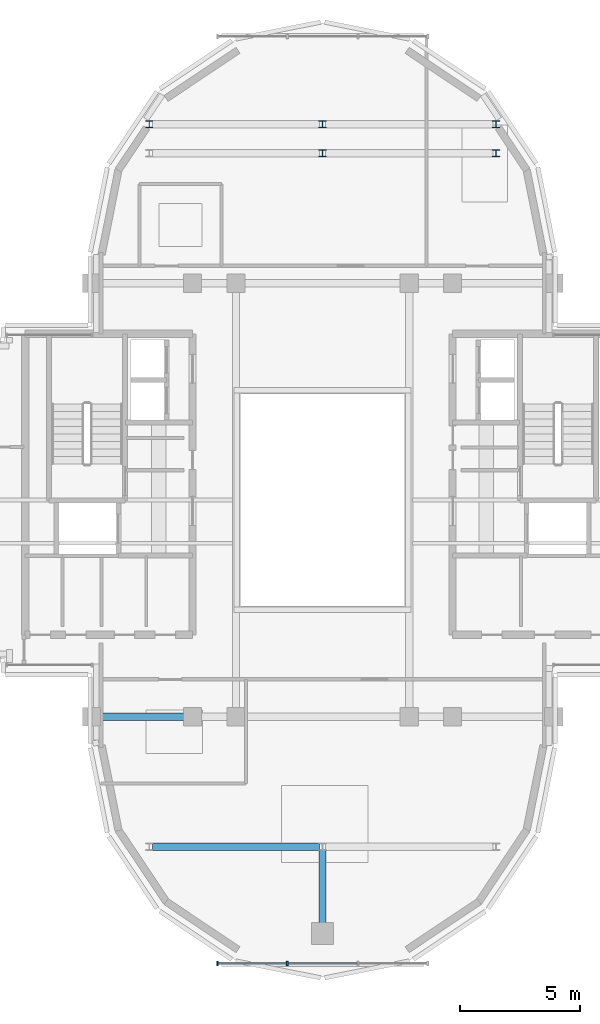
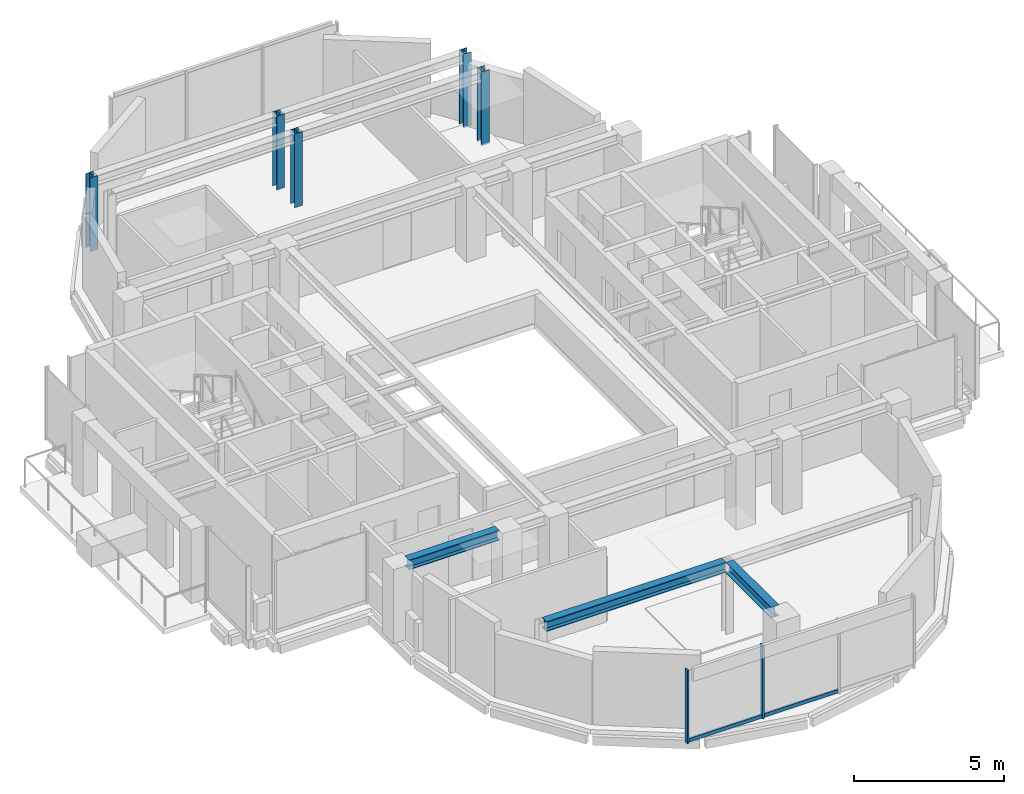
# One storey, part 2 of 12: 5 columns, 4 members, 3 beams, 1 element without a shape of its own.
"""IFC4 building model written with IfcOpenShell, lengths in metres."""

from ifc_helpers import new_model, si_unit, direction, frame, origin, origin_2d, place, context, subcontext, project, spatial, rectangle, i_section, extrude, source, transform, mapped, material, material_profile, profile_set, type_object, element, aggregate, save


model = new_model("IFC4")

# Units and contexts
model_context = context("Model", 3, precision=1e-05, world=origin(), true_north=direction((0.0, 1.0)))
body_context = subcontext(model_context, "Body", "Model", "MODEL_VIEW")
ifc_project = project(units=[si_unit("LENGTHUNIT", "METRE"), si_unit("AREAUNIT", "SQUARE_METRE"), si_unit("VOLUMEUNIT", "CUBIC_METRE"), si_unit("PLANEANGLEUNIT", "RADIAN"), si_unit("MASSUNIT", "GRAM", prefix="KILO")], contexts=[model_context])

# Site, building, storey
site_placement = place(None, origin())
site = spatial("IfcSite", under=ifc_project, at=site_placement, CompositionType="ELEMENT")
building_placement = place(site_placement, origin())
building = spatial("IfcBuilding", under=site, at=building_placement, Name="Keilestroom Media Tower", CompositionType="ELEMENT")
storey_placement = place(building_placement, frame((0.0, 0.0, 258.800048828125)))
storey = spatial("IfcBuildingStorey", under=building, at=storey_placement, Name="L72", CompositionType="ELEMENT", Elevation=258.800048828125)

# Columns
ifc_material_1 = material(Name="Steel S355", Category="steel")
ifc_material_profile_1 = material_profile(ifc_material_1, i_section(OverallWidth=0.300048828125, OverallDepth=0.300048828125, WebThickness=0.010986328125, FlangeThickness=0.01904296875, at=origin_2d()), Name="HEB 300")
ifc_profile_set_1 = profile_set([ifc_material_profile_1], Name="Steel S355")
column_type = type_object("IfcColumnType", Name="Structural-Column-HEB-300", PredefinedType="COLUMN", material=ifc_profile_set_1)
shared_shape_1 = source(origin(), body_context, "Body", "SweptSolid", [
    extrude(i_section(OverallWidth=0.300048828125, OverallDepth=0.300048828125, WebThickness=0.010986328125, FlangeThickness=0.01904296875, at=origin_2d()), origin(), (0.0, 0.0, 1.0), 3.010009765625),
])
for number, where, z_axis, x_axis, name in (
    (1, (-7.199951171875, 15.60009765625, 0.0), (0.0, 0.0, 1.0), (1.0, 0.0, 0.0), "L72 Column SC-5 (-7.2,+15.6)"),
    (2, (0.0, 14.39990234375, 0.0), (0.0, 0.0, 1.0), (1.0, 0.0, 0.0), "L72 Column SC-5 (+0.0,+14.4)"),
    (3, (0.0, 15.60009765625, 0.0), (0.0, 0.0, 1.0), (1.0, 0.0, 0.0), "L72 Column SC-5 (+0.0,+15.6)"),
    (4, (7.199951171875, 14.39990234375, 0.0), (0.0, 0.0, 1.0), (1.0, 0.0, 0.0), "L72 Column SC-5 (+7.2,+14.4)"),
    (5, (7.199951171875, 15.60009765625, 0.0), (0.0, 0.0, 1.0), (1.0, 0.0, 0.0), "L72 Column SC-5 (+7.2,+15.6)"),
):
    element("IfcColumn", number, at=place(storey_placement, frame(where, z_axis=z_axis, x_axis=x_axis)), inside=storey, type_object=column_type, Name=name, PredefinedType="COLUMN", context=body_context, shape_type="MappedRepresentation", body=[
        mapped(shared_shape_1, transform((0.0, 0.0, 0.0), x_axis=(1.0, 0.0, 0.0), y_axis=(0.0, 1.0, 0.0), z_axis=(0.0, 0.0, 1.0), scale=1.0)),
    ])

# Beams
ifc_material_profile_2 = material_profile(ifc_material_1, i_section(OverallWidth=0.300048828125, OverallDepth=0.39990234375, WebThickness=0.011474609375, FlangeThickness=0.02392578125, at=origin_2d()), Name="HEB 400")
ifc_profile_set_2 = profile_set([ifc_material_profile_2], Name="Steel S355")
beam_type_1 = type_object("IfcBeamType", Name="Primary-Structural-Girder-HEB-400", PredefinedType="BEAM", material=ifc_profile_set_2)
shared_shape_2 = source(origin(), body_context, "Body", "SweptSolid", [
    extrude(i_section(OverallWidth=0.300048828125, OverallDepth=0.39990234375, WebThickness=0.011474609375, FlangeThickness=0.02392578125, at=origin_2d()), origin(), (0.0, 0.0, 1.0), 6.940185546875),
])
beam_1_placement = place(storey_placement, frame((-7.070068359375, -14.39990234375, 2.81005859375), z_axis=(1.0, 0.0, 0.0), x_axis=(0.0, 1.0, 0.0)))
element("IfcBeam", 6, at=beam_1_placement, inside=storey, type_object=beam_type_1, Name="L72 Beam BG-8 BM-L72-EW-001", PredefinedType="BEAM", context=body_context, shape_type="MappedRepresentation", body=[
    mapped(shared_shape_2, transform((0.0, 0.0, 0.0), x_axis=(1.0, 0.0, 0.0), y_axis=(0.0, 1.0, 0.0), z_axis=(0.0, 0.0, 1.0), scale=1.0)),
])
shared_shape_3 = source(origin(), body_context, "Body", "SweptSolid", [
    extrude(i_section(OverallWidth=0.300048828125, OverallDepth=0.39990234375, WebThickness=0.011474609375, FlangeThickness=0.02392578125, at=origin_2d()), origin(), (0.0, 0.0, 1.0), 3.490234375),
])
beam_2_placement = place(storey_placement, frame((-9.2451171875, -9.0, 2.81005859375), z_axis=(1.0, 0.0, 0.0), x_axis=(0.0, 1.0, 0.0)))
element("IfcBeam", 7, at=beam_2_placement, inside=storey, type_object=beam_type_1, Name="L72 Beam BG-8 BM-L72-EW-003", PredefinedType="BEAM", context=body_context, shape_type="MappedRepresentation", body=[
    mapped(shared_shape_3, transform((0.0, 0.0, 0.0), x_axis=(1.0, 0.0, 0.0), y_axis=(0.0, 1.0, 0.0), z_axis=(0.0, 0.0, 1.0), scale=1.0)),
])
ifc_material_profile_3 = material_profile(ifc_material_1, i_section(OverallWidth=0.300048828125, OverallDepth=0.43994140625, WebThickness=0.011474609375, FlangeThickness=0.02099609375, at=origin_2d()), Name="HEA 450")
ifc_profile_set_3 = profile_set([ifc_material_profile_3], Name="Steel S355")
beam_type_2 = type_object("IfcBeamType", Name="Primary-Structural-Girder-HEA-450", PredefinedType="BEAM", material=ifc_profile_set_3)
shared_shape_4 = source(origin(), body_context, "Body", "SweptSolid", [
    extrude(i_section(OverallWidth=0.300048828125, OverallDepth=0.43994140625, WebThickness=0.011474609375, FlangeThickness=0.02099609375, at=origin_2d()), origin(), (0.0, 0.0, 1.0), 3.0400390625),
])
beam_3_placement = place(storey_placement, frame((0.0, -17.570068359375, 2.7900390625), z_axis=(0.0, 1.0, 0.0), x_axis=(-1.0, 0.0, 0.0)))
element("IfcBeam", 8, at=beam_3_placement, inside=storey, type_object=beam_type_2, Name="L72 Beam BG-11 BM-L72-NS-022", PredefinedType="BEAM", context=body_context, shape_type="MappedRepresentation", body=[
    mapped(shared_shape_4, transform((0.0, 0.0, 0.0), x_axis=(1.0, 0.0, 0.0), y_axis=(0.0, 1.0, 0.0), z_axis=(0.0, 0.0, 1.0), scale=1.0)),
])

# Curtain wall, members
ifc_material_2 = material(Name="Anodised Aluminium Alloy", Category="aluminium")
curtain_wall_type = type_object("IfcCurtainWallType", Name="Unitised-Curtain-Wall-CW-6", PredefinedType="NOTDEFINED", material=ifc_material_2)
curtain_wall_placement = place(storey_placement, origin())
curtain_wall = element("IfcCurtainWall", 9, at=curtain_wall_placement, inside=storey, type_object=curtain_wall_type, Name="L72 Curtain Wall CW-6 CW-L72-LS-1", PredefinedType="NOTDEFINED")
ifc_material_profile_4 = material_profile(ifc_material_2, rectangle(XDim=0.06494140625, YDim=0.179931640625, at=origin_2d()), Name="ALU MULLION 65x180")
ifc_profile_set_4 = profile_set([ifc_material_profile_4], Name="Anodised Aluminium Alloy")
member_type_1 = type_object("IfcMemberType", Name="Curtain-Wall-Mullion-CW-6", PredefinedType="MULLION", material=ifc_profile_set_4)
shared_shape_5 = source(origin(), body_context, "Body", "SweptSolid", [
    extrude(rectangle(XDim=0.06494140625, YDim=0.179931640625, at=origin_2d()), origin(), (0.0, 0.0, 1.0), 2.97998046875),
])
member_1_placement = place(storey_placement, frame((-4.367431640625, -19.25, 0.0), z_axis=(0.0, 0.0, 1.0), x_axis=(1.0, 0.0, 0.0)))
member_1 = element("IfcMember", 10, at=member_1_placement, type_object=member_type_1, Name="CW-6 Mullion 00", PredefinedType="MULLION", context=body_context, shape_type="MappedRepresentation", body=[
    mapped(shared_shape_5, transform((0.0, 0.0, 0.0), x_axis=(1.0, 0.0, 0.0), y_axis=(0.0, 1.0, 0.0), z_axis=(0.0, 0.0, 1.0), scale=1.0)),
])
member_2_placement = place(storey_placement, frame((-1.466796875, -19.25, 0.0), z_axis=(0.0, 0.0, 1.0), x_axis=(1.0, 0.0, 0.0)))
member_2 = element("IfcMember", 11, at=member_2_placement, type_object=member_type_1, Name="CW-6 Mullion 01", PredefinedType="MULLION", context=body_context, shape_type="MappedRepresentation", body=[
    mapped(shared_shape_5, transform((0.0, 0.0, 0.0), x_axis=(1.0, 0.0, 0.0), y_axis=(0.0, 1.0, 0.0), z_axis=(0.0, 0.0, 1.0), scale=1.0)),
])
ifc_material_profile_5 = material_profile(ifc_material_2, rectangle(XDim=0.06494140625, YDim=0.14990234375, at=origin_2d()), Name="ALU TRANSOM 65x150")
ifc_profile_set_5 = profile_set([ifc_material_profile_5], Name="Anodised Aluminium Alloy")
member_type_2 = type_object("IfcMemberType", Name="Curtain-Wall-Transom-CW-6", PredefinedType="USERDEFINED", material=ifc_profile_set_5)
shared_shape_6 = source(origin(), body_context, "Body", "SweptSolid", [
    extrude(rectangle(XDim=0.06494140625, YDim=0.14990234375, at=origin_2d()), origin(), (0.0, 0.0, 1.0), 2.839599609375),
])
member_3_placement = place(storey_placement, frame((-4.3369140625, -19.25, 0.074951171875), z_axis=(1.0, 0.0, 0.0), x_axis=(0.0, 1.0, 0.0)))
member_3 = element("IfcMember", 12, at=member_3_placement, type_object=member_type_2, Name="CW-6 Transom 00.1", ObjectType="TRANSOM", PredefinedType="USERDEFINED", context=body_context, shape_type="MappedRepresentation", body=[
    mapped(shared_shape_6, transform((0.0, 0.0, 0.0), x_axis=(1.0, 0.0, 0.0), y_axis=(0.0, 1.0, 0.0), z_axis=(0.0, 0.0, 1.0), scale=1.0)),
])
shared_shape_7 = source(origin(), body_context, "Body", "SweptSolid", [
    extrude(rectangle(XDim=0.06494140625, YDim=0.14990234375, at=origin_2d()), origin(), (0.0, 0.0, 1.0), 2.87255859375),
])
member_4_placement = place(storey_placement, frame((-1.436279296875, -19.25, 0.074951171875), z_axis=(1.0, 0.0, 0.0), x_axis=(0.0, 1.0, 0.0)))
member_4 = element("IfcMember", 13, at=member_4_placement, type_object=member_type_2, Name="CW-6 Transom 01.1", ObjectType="TRANSOM", PredefinedType="USERDEFINED", context=body_context, shape_type="MappedRepresentation", body=[
    mapped(shared_shape_7, transform((0.0, 0.0, 0.0), x_axis=(1.0, 0.0, 0.0), y_axis=(0.0, 1.0, 0.0), z_axis=(0.0, 0.0, 1.0), scale=1.0)),
])
aggregate(curtain_wall, [member_1, member_2, member_3, member_4])

save(model, "model.ifc")
